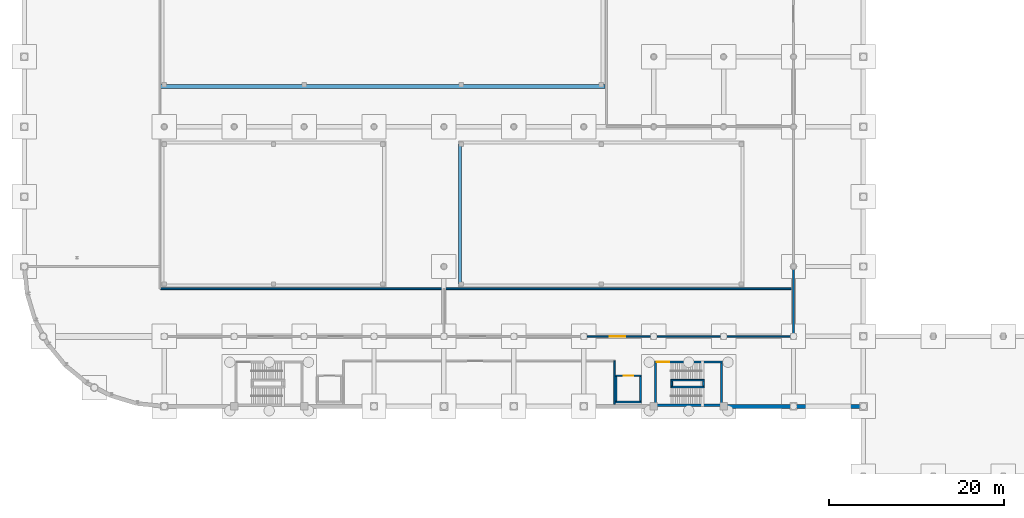
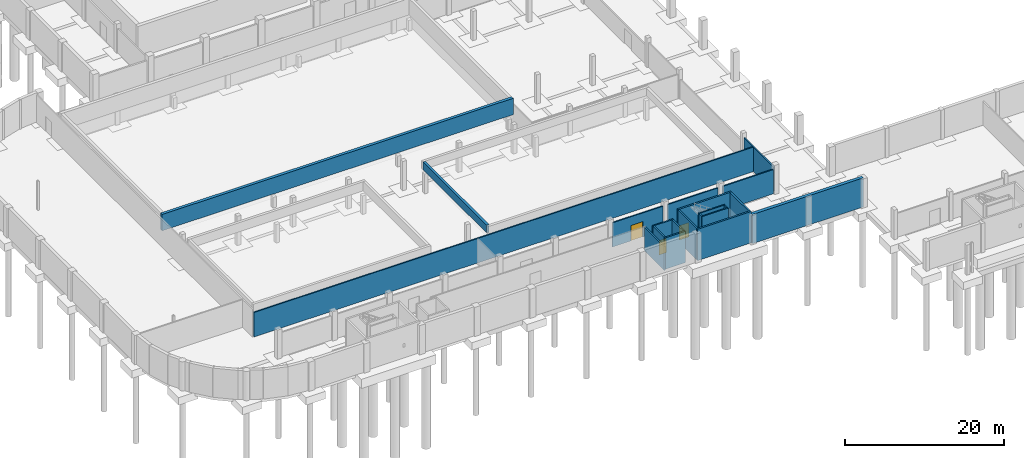
# One storey, part 20 of 29: 21 walls, 3 doors, 3 openings.
"""IFC4 building model written with IfcOpenShell, lengths in metres."""

from ifc_helpers import new_model, si_unit, direction, frame, frame_2d, origin, place, context, subcontext, project, spatial, rectangle, extrude, material, layer, layer_set, type_object, element, fill, save


model = new_model("IFC4")

# Units and contexts
model_context = context("Model", 3, precision=1e-05, world=origin(), true_north=direction((0.0, 1.0)))
body_context = subcontext(model_context, "Body", "Model", "MODEL_VIEW")
ifc_project = project(units=[si_unit("LENGTHUNIT", "METRE"), si_unit("AREAUNIT", "SQUARE_METRE"), si_unit("VOLUMEUNIT", "CUBIC_METRE"), si_unit("PLANEANGLEUNIT", "RADIAN"), si_unit("MASSUNIT", "GRAM", prefix="KILO")], contexts=[model_context])

# Site, building, storey
site_placement = place(None, origin())
site = spatial("IfcSite", under=ifc_project, at=site_placement, CompositionType="ELEMENT")
building_placement = place(site_placement, origin())
building = spatial("IfcBuilding", under=site, at=building_placement, Name="Drelvana Railside Aquatics Centre", CompositionType="ELEMENT")
storey_placement = place(building_placement, frame((0.0, 0.0, -4.800048828125)))
storey = spatial("IfcBuildingStorey", under=building, at=storey_placement, Name="B1", CompositionType="ELEMENT", Elevation=-4.800048828125)

# Wall, opening, door
ifc_material_1 = material(Name="Concrete blockwork compartment wall", Category="masonry")
ifc_layer_1 = layer(ifc_material_1, 0.18505859375, Name="Concrete blockwork compartment wall")
ifc_layer_set_1 = layer_set([ifc_layer_1], Name="Concrete blockwork compartment wall")
wall_type_1 = type_object("IfcWallType", Name="WL-COMP-185", PredefinedType="STANDARD", material=ifc_layer_set_1)
wall_1_placement = place(storey_placement, frame((64.35205078125, 24.0, 0.0), z_axis=(0.0, 0.0, 1.0), x_axis=(1.0, 0.0, 0.0)))
wall_1 = element("IfcWall", 1, at=wall_1_placement, inside=storey, type_object=wall_type_1, Name="B1 South plant corridor N wall", PredefinedType="STANDARD", context=body_context, shape_type="SweptSolid", body=[
    extrude(rectangle(XDim=7.2958984375, YDim=0.18505859375, at=frame_2d((3.64794921875, 0.0))), origin(), (0.0, 0.0, 1.0), 3.699951171875),
])
opening_1_placement = place(wall_1_placement, frame((2.64794921875, 0.0, 0.0)))
opening_1 = element("IfcOpeningElement", 2, at=opening_1_placement, cuts=wall_1, Name="Opening D-15-108", PredefinedType="OPENING", context=body_context, shape_type="SweptSolid", body=[
    extrude(rectangle(XDim=1.75, YDim=2.35009765625, at=frame_2d((0.875, 1.175048828125))), frame((0.0, 0.1025390625, 0.0), z_axis=(0.0, -1.0, 0.0), x_axis=(1.0, 0.0, 0.0)), (0.0, 0.0, 1.0), 0.205078125),
])
ifc_material_2 = material(Name="Heavy plant hall double door", Category="wood")
door_type_1 = type_object("IfcDoorType", Name="DR-INT-PLANT-1750x2350", OperationType="DOUBLE_DOOR_SINGLE_SWING", PredefinedType="DOOR", material=ifc_material_2)
door_1_placement = place(opening_1_placement, origin())
door_1 = element("IfcDoor", 3, at=door_1_placement, inside=storey, type_object=door_type_1, Name="Ozone treatment east door D-15-108", OperationType="DOUBLE_DOOR_SINGLE_SWING", OverallHeight=2.35009765625, OverallWidth=1.75, PredefinedType="DOOR", context=body_context, shape_type="SweptSolid", body=[
    extrude(rectangle(XDim=1.75, YDim=2.35009765625, at=frame_2d((0.875, 1.175048828125))), frame((0.0, 0.02490234375, 0.0), z_axis=(0.0, -1.0, 0.0), x_axis=(1.0, 0.0, 0.0)), (0.0, 0.0, 1.0), 0.050048828125),
])
fill(opening_1, door_1)

# Walls
for number, where, z_axis, x_axis, name in (
    (4, (72.35205078125, 24.0, 0.0), (0.0, 0.0, 1.0), (1.0, 0.0, 0.0), "B1 South plant corridor N wall"),
    (5, (80.35205078125, 24.0, 0.0), (0.0, 0.0, 1.0), (1.0, 0.0, 0.0), "B1 South plant corridor N wall"),
):
    element("IfcWall", number, at=place(storey_placement, frame(where, z_axis=z_axis, x_axis=x_axis)), inside=storey, type_object=wall_type_1, Name=name, PredefinedType="STANDARD", context=body_context, shape_type="SweptSolid", body=[
        extrude(rectangle(XDim=7.2958984375, YDim=0.18505859375, at=frame_2d((3.64794921875, 0.0))), origin(), (0.0, 0.0, 1.0), 3.699951171875),
    ])
wall_2_placement = place(storey_placement, frame((67.5, 16.219970703125, 0.0), z_axis=(0.0, 0.0, 1.0), x_axis=(0.0, 1.0, 0.0)))
element("IfcWall", 6, at=wall_2_placement, inside=storey, type_object=wall_type_1, Name="B1 Chemical store E wall", PredefinedType="STANDARD", context=body_context, shape_type="SweptSolid", body=[
    extrude(rectangle(XDim=4.97998046875, YDim=0.18505859375, at=frame_2d((2.489990234375, 0.0))), origin(), (0.0, 0.0, 1.0), 3.650146484375),
])
wall_3_placement = place(storey_placement, frame((15.60009765625, 29.449951171875, 0.0), z_axis=(0.0, 0.0, 1.0), x_axis=(1.0, 0.0, 0.0)))
element("IfcWall", 7, at=wall_3_placement, inside=storey, type_object=wall_type_1, Name="B1 Filtration and Ozone N wall", PredefinedType="STANDARD", context=body_context, shape_type="SweptSolid", body=[
    extrude(rectangle(XDim=72.39990234375, YDim=0.18505859375, at=frame_2d((36.199951171875, 0.0))), origin(), (0.0, 0.0, 1.0), 3.75),
])
wall_4_placement = place(storey_placement, frame((88.0, 24.35205078125, 0.0), z_axis=(0.0, 0.0, 1.0), x_axis=(0.0, 1.0, 0.0)))
element("IfcWall", 8, at=wall_4_placement, inside=storey, type_object=wall_type_1, Name="B1 East plant link W wall", PredefinedType="STANDARD", context=body_context, shape_type="SweptSolid", body=[
    extrude(rectangle(XDim=7.370849609375, YDim=0.18505859375, at=frame_2d((3.685546875, 0.0))), origin(), (0.0, 0.0, 1.0), 3.75),
])
ifc_material_3 = material(Name="Concrete C40/50", Category="concrete")
ifc_layer_2 = layer(ifc_material_3, 0.25, Name="Concrete C40/50")
ifc_layer_set_2 = layer_set([ifc_layer_2], Name="Concrete C40/50")
wall_type_2 = type_object("IfcWallType", Name="WL-CORE-250", PredefinedType="SHEAR", material=ifc_layer_set_2)
wall_5_placement = place(storey_placement, frame((72.10009765625, 16.125, 0.0), z_axis=(0.0, 0.0, 1.0), x_axis=(1.0, 0.0, 0.0)))
element("IfcWall", 9, at=wall_5_placement, inside=storey, type_object=wall_type_2, Name="Core 2 South-East Pool Hall S core wall (B1)", PredefinedType="SHEAR", context=body_context, shape_type="SweptSolid", body=[
    extrude(rectangle(XDim=7.7998046875, YDim=0.25, at=frame_2d((3.89990234375, 0.0))), origin(), (0.0, 0.0, 1.0), 4.800048828125),
])

# Wall, opening, door
wall_6_placement = place(storey_placement, frame((72.10009765625, 21.074951171875, 0.0), z_axis=(0.0, 0.0, 1.0), x_axis=(1.0, 0.0, 0.0)))
wall_6 = element("IfcWall", 10, at=wall_6_placement, inside=storey, type_object=wall_type_2, Name="Core 2 South-East Pool Hall N core wall (B1)", PredefinedType="SHEAR", context=body_context, shape_type="SweptSolid", body=[
    extrude(rectangle(XDim=7.7998046875, YDim=0.25, at=frame_2d((3.89990234375, 0.0))), origin(), (0.0, 0.0, 1.0), 4.800048828125),
])
opening_2_placement = place(wall_6_placement, frame((0.25, 0.0, 0.0)))
opening_2 = element("IfcOpeningElement", 11, at=opening_2_placement, cuts=wall_6, Name="Opening D-01-009", PredefinedType="OPENING", context=body_context, shape_type="SweptSolid", body=[
    extrude(rectangle(XDim=1.449951171875, YDim=2.199951171875, at=frame_2d((0.72509765625, 1.10009765625))), frame((0.0, 0.135009765625, 0.0), z_axis=(0.0, -1.0, 0.0), x_axis=(1.0, 0.0, 0.0)), (0.0, 0.0, 1.0), 0.27001953125),
])
ifc_material_4 = material(Name="Fire-rated steel and vision-panel door", Category="steel")
door_type_2 = type_object("IfcDoorType", Name="DR-INT-STAIR-1450x2200", OperationType="DOUBLE_DOOR_SINGLE_SWING", PredefinedType="DOOR", material=ifc_material_4)
door_2_placement = place(opening_2_placement, origin())
door_2 = element("IfcDoor", 12, at=door_2_placement, inside=storey, type_object=door_type_2, Name="Stair ST-02 lobby door D-01-009", OperationType="DOUBLE_DOOR_SINGLE_SWING", OverallHeight=2.199951171875, OverallWidth=1.449951171875, PredefinedType="DOOR", context=body_context, shape_type="SweptSolid", body=[
    extrude(rectangle(XDim=1.449951171875, YDim=2.199951171875, at=frame_2d((0.72509765625, 1.10009765625))), frame((0.0, 0.02490234375, 0.0), z_axis=(0.0, -1.0, 0.0), x_axis=(1.0, 0.0, 0.0)), (0.0, 0.0, 1.0), 0.050048828125),
])
fill(opening_2, door_2)

# Walls
for number, where, z_axis, x_axis, name in (
    (13, (72.22509765625, 16.25, 0.0), (0.0, 0.0, 1.0), (0.0, 1.0, 0.0), "Core 2 South-East Pool Hall W core wall (B1)"),
    (14, (79.77490234375, 16.25, 0.0), (0.0, 0.0, 1.0), (0.0, 1.0, 0.0), "Core 2 South-East Pool Hall E core wall (B1)"),
):
    element("IfcWall", number, at=place(storey_placement, frame(where, z_axis=z_axis, x_axis=x_axis)), inside=storey, type_object=wall_type_2, Name=name, PredefinedType="SHEAR", context=body_context, shape_type="SweptSolid", body=[
        extrude(rectangle(XDim=4.699951171875, YDim=0.25, at=frame_2d((2.35009765625, 0.0))), origin(), (0.0, 0.0, 1.0), 4.800048828125),
    ])
ifc_material_5 = material(Name="Waterproof concrete C40/50", Category="concrete")
ifc_layer_3 = layer(ifc_material_5, 0.449951171875, Name="Waterproof concrete C40/50")
ifc_layer_set_3 = layer_set([ifc_layer_3], Name="Waterproof concrete C40/50")
wall_type_3 = type_object("IfcWallType", Name="WL-RET-450", PredefinedType="SOLIDWALL", material=ifc_layer_set_3)
wall_7_placement = place(storey_placement, frame((79.902099609375, 16.0, 0.0), z_axis=(0.0, 0.0, 1.0), x_axis=(1.0, 0.0, 0.0)))
element("IfcWall", 15, at=wall_7_placement, inside=storey, type_object=wall_type_3, Name="Basement retaining wall V1-S-3", PredefinedType="SOLIDWALL", context=body_context, shape_type="SweptSolid", body=[
    extrude(rectangle(XDim=16.097900390625, YDim=0.449951171875, at=frame_2d((8.048828125, 0.0))), origin(), (0.0, 0.0, 1.0), 4.469970703125),
])
ifc_layer_4 = layer(ifc_material_3, 0.199951171875, Name="Concrete C40/50")
ifc_layer_set_4 = layer_set([ifc_layer_4], Name="Concrete C40/50")
wall_type_4 = type_object("IfcWallType", Name="WL-SHFT-200", PredefinedType="SHEAR", material=ifc_layer_set_4)
for number, where, z_axis, x_axis, name in (
    (16, (73.969970703125, 18.199951171875, 0.0), (0.0, 0.0, 1.0), (1.0, 0.0, 0.0), "Stair ST-02 central spine wall A (B1)"),
    (17, (73.969970703125, 19.0, 0.0), (0.0, 0.0, 1.0), (1.0, 0.0, 0.0), "Stair ST-02 central spine wall B (B1)"),
):
    element("IfcWall", number, at=place(storey_placement, frame(where, z_axis=z_axis, x_axis=x_axis)), inside=storey, type_object=wall_type_4, Name=name, PredefinedType="SHEAR", context=body_context, shape_type="SweptSolid", body=[
        extrude(rectangle(XDim=3.820068359375, YDim=0.199951171875, at=frame_2d((1.91015625, 0.0))), origin(), (0.0, 0.0, 1.0), 4.800048828125),
    ])
for number, where, z_axis, x_axis, name in (
    (18, (74.070068359375, 18.300048828125, 0.0), (0.0, 0.0, 1.0), (0.0, 1.0, 0.0), "Stair ST-02 central spine wall W (B1)"),
    (19, (77.68994140625, 18.300048828125, 0.0), (0.0, 0.0, 1.0), (0.0, 1.0, 0.0), "Stair ST-02 central spine wall E (B1)"),
):
    element("IfcWall", number, at=place(storey_placement, frame(where, z_axis=z_axis, x_axis=x_axis)), inside=storey, type_object=wall_type_4, Name=name, PredefinedType="SHEAR", context=body_context, shape_type="SweptSolid", body=[
        extrude(rectangle(XDim=0.599853515625, YDim=0.199951171875, at=frame_2d((0.2998046875, 0.0))), origin(), (0.0, 0.0, 1.0), 4.800048828125),
    ])
wall_8_placement = place(storey_placement, frame((67.60009765625, 16.5, 0.0), z_axis=(0.0, 0.0, 1.0), x_axis=(1.0, 0.0, 0.0)))
element("IfcWall", 20, at=wall_8_placement, inside=storey, type_object=wall_type_4, Name="Lift LP-02 S shaft wall (B1)", PredefinedType="SHEAR", context=body_context, shape_type="SweptSolid", body=[
    extrude(rectangle(XDim=3.0, YDim=0.199951171875, at=frame_2d((1.5, 0.0))), origin(), (0.0, 0.0, 1.0), 4.800048828125),
])

# Wall, opening, door
wall_9_placement = place(storey_placement, frame((67.60009765625, 19.5, 0.0), z_axis=(0.0, 0.0, 1.0), x_axis=(1.0, 0.0, 0.0)))
wall_9 = element("IfcWall", 21, at=wall_9_placement, inside=storey, type_object=wall_type_4, Name="Lift LP-02 N shaft wall (B1)", PredefinedType="SHEAR", context=body_context, shape_type="SweptSolid", body=[
    extrude(rectangle(XDim=3.0, YDim=0.199951171875, at=frame_2d((1.5, 0.0))), origin(), (0.0, 0.0, 1.0), 4.800048828125),
])
opening_3_placement = place(wall_9_placement, frame((0.949951171875, 0.0, 0.0)))
opening_3 = element("IfcOpeningElement", 22, at=opening_3_placement, cuts=wall_9, Name="Opening LD-01-013", PredefinedType="OPENING", context=body_context, shape_type="SweptSolid", body=[
    extrude(rectangle(XDim=1.10009765625, YDim=2.199951171875, at=frame_2d((0.550048828125, 1.10009765625))), frame((0.0, 0.10986328125, 0.0), z_axis=(0.0, -1.0, 0.0), x_axis=(1.0, 0.0, 0.0)), (0.0, 0.0, 1.0), 0.219970703125),
])
ifc_material_6 = material(Name="Stainless steel lift landing sliding door", Category="steel")
door_type_3 = type_object("IfcDoorType", Name="DR-LIFT-LD-1100x2200", OperationType="SLIDING_TO_LEFT", PredefinedType="DOOR", material=ifc_material_6)
door_3_placement = place(opening_3_placement, origin())
door_3 = element("IfcDoor", 23, at=door_3_placement, inside=storey, type_object=door_type_3, Name="Lift LP-02 landing door LD-01-013", OperationType="SLIDING_TO_LEFT", OverallHeight=2.199951171875, OverallWidth=1.10009765625, PredefinedType="DOOR", context=body_context, shape_type="SweptSolid", body=[
    extrude(rectangle(XDim=1.10009765625, YDim=2.199951171875, at=frame_2d((0.550048828125, 1.10009765625))), frame((0.0, 0.02490234375, 0.0), z_axis=(0.0, -1.0, 0.0), x_axis=(1.0, 0.0, 0.0)), (0.0, 0.0, 1.0), 0.050048828125),
])
fill(opening_3, door_3)

# Walls
for number, where, z_axis, x_axis, name in (
    (24, (67.699951171875, 16.60009765625, 0.0), (0.0, 0.0, 1.0), (0.0, 1.0, 0.0), "Lift LP-02 W shaft wall (B1)"),
    (25, (70.5, 16.60009765625, 0.0), (0.0, 0.0, 1.0), (0.0, 1.0, 0.0), "Lift LP-02 E shaft wall (B1)"),
):
    element("IfcWall", number, at=place(storey_placement, frame(where, z_axis=z_axis, x_axis=x_axis)), inside=storey, type_object=wall_type_4, Name=name, PredefinedType="SHEAR", context=body_context, shape_type="SweptSolid", body=[
        extrude(rectangle(XDim=2.7998046875, YDim=0.199951171875, at=frame_2d((1.39990234375, 0.0))), origin(), (0.0, 0.0, 1.0), 4.800048828125),
    ])
ifc_layer_5 = layer(ifc_material_5, 0.35009765625, Name="Waterproof concrete C40/50")
ifc_layer_set_5 = layer_set([ifc_layer_5], Name="Waterproof concrete C40/50")
wall_type_5 = type_object("IfcWallType", Name="WL-TK-350", PredefinedType="SOLIDWALL", material=ifc_layer_set_5)
wall_10_placement = place(storey_placement, frame((49.824951171875, 30.0, 3.60009765625), z_axis=(0.0, 0.0, 1.0), x_axis=(0.0, 1.0, 0.0)))
element("IfcWall", 26, at=wall_10_placement, inside=storey, type_object=wall_type_5, Name="Leisure Pool W tank wall", PredefinedType="SOLIDWALL", context=body_context, shape_type="SweptSolid", body=[
    extrude(rectangle(XDim=16.0, YDim=0.35009765625, at=frame_2d((8.0, 0.0))), origin(), (0.0, 0.0, 1.0), 1.199951171875),
])
ifc_layer_6 = layer(ifc_material_5, 0.419921875, Name="Waterproof concrete C40/50")
ifc_layer_set_6 = layer_set([ifc_layer_6], Name="Waterproof concrete C40/50")
wall_type_6 = type_object("IfcWallType", Name="WL-TK-420", PredefinedType="SOLIDWALL", material=ifc_layer_set_6)
wall_11_placement = place(storey_placement, frame((15.580078125, 52.590087890625, 2.300048828125), z_axis=(0.0, 0.0, 1.0), x_axis=(1.0, 0.0, 0.0)))
element("IfcWall", 27, at=wall_11_placement, inside=storey, type_object=wall_type_6, Name="Competition Pool S tank wall", PredefinedType="SOLIDWALL", context=body_context, shape_type="SweptSolid", body=[
    extrude(rectangle(XDim=50.83984375, YDim=0.419921875, at=frame_2d((25.419921875, 0.0))), origin(), (0.0, 0.0, 1.0), 2.5),
])

save(model, "model.ifc")
